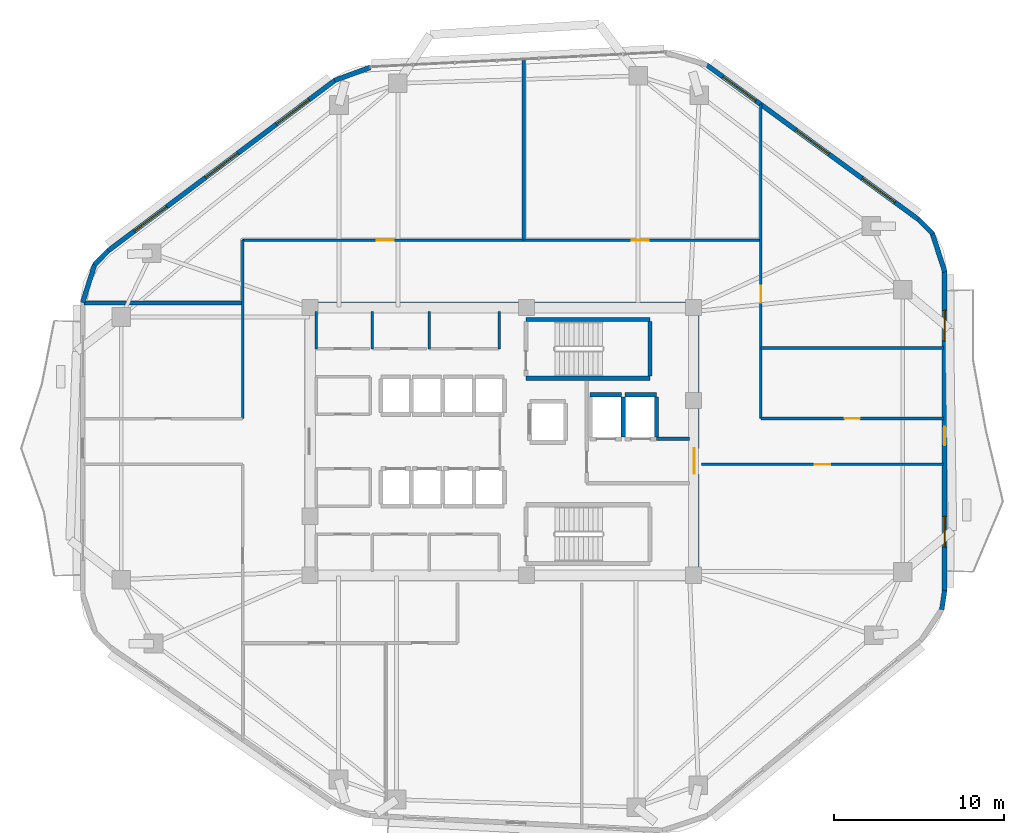
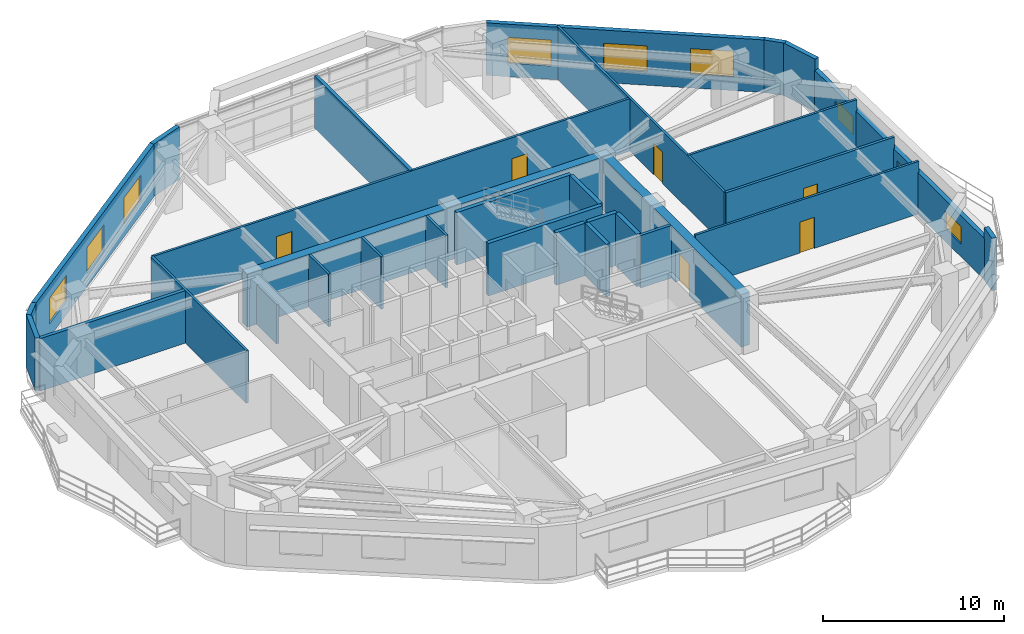
# One storey, part 10 of 14: 31 walls, 8 windows, 7 doors, 15 openings.
"""IFC4 building model written with IfcOpenShell, lengths in metres."""

from ifc_helpers import new_model, si_unit, direction, frame, frame_2d, origin, place, context, subcontext, project, spatial, rectangle, extrude, material, layer, layer_set, type_object, element, fill, save


model = new_model("IFC4")

# Units and contexts
model_context = context("Model", 3, precision=1e-05, world=origin(), true_north=direction((0.0, 1.0)))
body_context = subcontext(model_context, "Body", "Model", "MODEL_VIEW")
ifc_project = project(units=[si_unit("LENGTHUNIT", "METRE"), si_unit("AREAUNIT", "SQUARE_METRE"), si_unit("VOLUMEUNIT", "CUBIC_METRE"), si_unit("PLANEANGLEUNIT", "RADIAN"), si_unit("MASSUNIT", "GRAM", prefix="KILO")], contexts=[model_context])

# Site, building, storey
site_placement = place(None, origin())
site = spatial("IfcSite", under=ifc_project, at=site_placement, CompositionType="ELEMENT")
building_placement = place(site_placement, origin())
building = spatial("IfcBuilding", under=site, at=building_placement, Name="Zulverin Broadcast Headquarters", CompositionType="ELEMENT")
storey_placement = place(building_placement, frame((0.0, 0.0, 147.800048828125)))
storey = spatial("IfcBuildingStorey", under=building, at=storey_placement, Name="L37", CompositionType="ELEMENT", Elevation=147.800048828125)

# Walls
ifc_material_1 = material(Name="Acoustic drywall steel stud", Category="steel")
ifc_layer_1 = layer(ifc_material_1, 0.199951171875, Name="Acoustic drywall steel stud", Category="steel")
ifc_layer_set_1 = layer_set([ifc_layer_1], Name="Acoustic drywall steel stud")
wall_type_1 = type_object("IfcWallType", Name="WL-ACOU-200", PredefinedType="PARTITIONING", material=ifc_layer_set_1)
wall_1_placement = place(storey_placement, frame((38.300048828125, 37.050048828125, 0.0), z_axis=(0.0, 0.0, 1.0), x_axis=(0.0, 1.0, 0.0)))
element("IfcWall", 1, at=wall_1_placement, inside=storey, type_object=wall_type_1, Name="L37 Room Partition Wall RP-03", PredefinedType="PARTITIONING", context=body_context, shape_type="SweptSolid", body=[
    extrude(rectangle(XDim=10.55810546875, YDim=0.199951171875, at=frame_2d((5.279052734375, 0.0))), origin(), (0.0, 0.0, 1.0), 3.5400390625),
])
ifc_material_2 = material(Name="Double-stud acoustic drywall", Category="gypsum")
ifc_layer_2 = layer(ifc_material_2, 0.219970703125, Name="Double-stud acoustic drywall", Category="gypsum")
ifc_layer_set_2 = layer_set([ifc_layer_2], Name="Double-stud acoustic drywall")
wall_type_2 = type_object("IfcWallType", Name="WL-ACOU-220", PredefinedType="PARTITIONING", material=ifc_layer_set_2)
wall_2_placement = place(storey_placement, frame((12.405029296875, 33.35009765625, 0.0), z_axis=(0.0, 0.0, 1.0), x_axis=(1.0, 0.0, 0.0)))
element("IfcWall", 2, at=wall_2_placement, inside=storey, type_object=wall_type_2, Name="L37 Room Partition Wall RP-14", PredefinedType="PARTITIONING", context=body_context, shape_type="SweptSolid", body=[
    extrude(rectangle(XDim=9.344970703125, YDim=0.219970703125, at=frame_2d((4.67236328125, 0.0))), origin(), (0.0, 0.0, 1.0), 3.5400390625),
])
ifc_material_3 = material(Name="Concrete C60/75", Category="concrete")
ifc_layer_3 = layer(ifc_material_3, 0.550048828125, Name="Concrete C60/75", Category="concrete")
ifc_layer_set_3 = layer_set([ifc_layer_3], Name="Concrete C60/75")
wall_type_3 = type_object("IfcWallType", Name="WL-CORE-550", PredefinedType="SHEAR", material=ifc_layer_set_3)
wall_3_placement = place(storey_placement, frame((25.39990234375, 33.125, 0.0), z_axis=(0.0, 0.0, 1.0), x_axis=(1.0, 0.0, 0.0)))
element("IfcWall", 3, at=wall_3_placement, inside=storey, type_object=wall_type_3, Name="L37 Core North Shear Wall", PredefinedType="SHEAR", context=body_context, shape_type="SweptSolid", body=[
    extrude(rectangle(XDim=23.2001953125, YDim=0.550048828125, at=frame_2d((11.60009765625, 0.0))), origin(), (0.0, 0.0, 1.0), 3.5400390625),
])

# Wall, opening, door
wall_4_placement = place(storey_placement, frame((48.324951171875, 17.550048828125, 0.0), z_axis=(0.0, 0.0, 1.0), x_axis=(0.0, 1.0, 0.0)))
wall_4 = element("IfcWall", 4, at=wall_4_placement, inside=storey, type_object=wall_type_3, Name="L37 Core East Shear Wall", PredefinedType="SHEAR", context=body_context, shape_type="SweptSolid", body=[
    extrude(rectangle(XDim=15.300048828125, YDim=0.550048828125, at=frame_2d((7.64990234375, 0.0))), origin(), (0.0, 0.0, 1.0), 3.5400390625),
])
opening_1_placement = place(wall_4_placement, frame((5.75, 0.0, 0.0)))
opening_1 = element("IfcOpeningElement", 5, at=opening_1_placement, cuts=wall_4, Name="Opening D-L37-CE1", PredefinedType="OPENING", context=body_context, shape_type="SweptSolid", body=[
    extrude(rectangle(XDim=1.5, YDim=2.14990234375, at=frame_2d((0.75, 1.074951171875))), frame((0.0, 0.284912109375, 0.0), z_axis=(0.0, -1.0, 0.0), x_axis=(1.0, 0.0, 0.0)), (0.0, 0.0, 1.0), 0.570068359375),
])
ifc_material_4 = material(Name="Fire-rated glazed steel frame", Category="steel")
door_type_1 = type_object("IfcDoorType", Name="DR-COR-1500", OperationType="DOUBLE_DOOR_SINGLE_SWING", PredefinedType="DOOR", material=ifc_material_4)
door_1_placement = place(opening_1_placement, origin())
door_1 = element("IfcDoor", 6, at=door_1_placement, inside=storey, type_object=door_type_1, Name="L37 Firefighting Lobby East Corridor Door", OperationType="DOUBLE_DOOR_SINGLE_SWING", OverallHeight=2.14990234375, OverallWidth=1.5, PredefinedType="DOOR", context=body_context, shape_type="SweptSolid", body=[
    extrude(rectangle(XDim=1.5, YDim=2.14990234375, at=frame_2d((0.75, 1.074951171875))), frame((0.0, 0.02490234375, 0.0), z_axis=(0.0, -1.0, 0.0), x_axis=(1.0, 0.0, 0.0)), (0.0, 0.0, 1.0), 0.050048828125),
])
fill(opening_1, door_1)

# Wall, openings, door, windows
ifc_material_5 = material(Name="Insulated pale-metal clad concrete spandrel C40/50", Category="concrete")
ifc_layer_4 = layer(ifc_material_5, 0.280029296875, Name="Insulated pale-metal clad concrete spandrel C40/50", Category="concrete")
ifc_layer_set_4 = layer_set([ifc_layer_4], Name="Insulated pale-metal clad concrete spandrel C40/50")
wall_type_4 = type_object("IfcWallType", Name="WL-EXT-280", PredefinedType="STANDARD", material=ifc_layer_set_4)
wall_5_placement = place(storey_placement, frame((63.06005859375, 16.418212890625, 0.0), z_axis=(0.0, 0.0, 1.0), x_axis=(0.0, 1.0, 0.0)))
wall_5 = element("IfcWall", 7, at=wall_5_placement, inside=storey, type_object=wall_type_4, Name="L37 Pale-Metal Clad Spandrel Wall 3", PredefinedType="STANDARD", context=body_context, shape_type="SweptSolid", body=[
    extrude(rectangle(XDim=18.811767578125, YDim=0.280029296875, at=frame_2d((9.40576171875, 0.0))), origin(), (0.0, 0.0, 1.0), 2.7900390625),
])
opening_2_placement = place(wall_5_placement, frame((8.555908203125, 0.0, 0.0)))
opening_2 = element("IfcOpeningElement", 8, at=opening_2_placement, cuts=wall_5, Name="Opening D-L37-TR3", PredefinedType="OPENING", context=body_context, shape_type="SweptSolid", body=[
    extrude(rectangle(XDim=1.10009765625, YDim=2.199951171875, at=frame_2d((0.550048828125, 1.10009765625))), frame((0.0, 0.14990234375, 0.0), z_axis=(0.0, -1.0, 0.0), x_axis=(1.0, 0.0, 0.0)), (0.0, 0.0, 1.0), 0.300048828125),
])
opening_3_placement = place(wall_5_placement, frame((2.568603515625, 0.0, 0.85009765625)))
opening_3 = element("IfcOpeningElement", 9, at=opening_3_placement, cuts=wall_5, Name="Opening W-L37-E31", PredefinedType="OPENING", context=body_context, shape_type="SweptSolid", body=[
    extrude(rectangle(XDim=1.800048828125, YDim=1.199951171875, at=frame_2d((0.89990234375, 0.60009765625))), frame((0.0, 0.14990234375, 0.0), z_axis=(0.0, -1.0, 0.0), x_axis=(1.0, 0.0, 0.0)), (0.0, 0.0, 1.0), 0.300048828125),
])
opening_4_placement = place(wall_5_placement, frame((14.693115234375, 0.0, 0.85009765625)))
opening_4 = element("IfcOpeningElement", 10, at=opening_4_placement, cuts=wall_5, Name="Opening W-L37-E32", PredefinedType="OPENING", context=body_context, shape_type="SweptSolid", body=[
    extrude(rectangle(XDim=1.800048828125, YDim=1.199951171875, at=frame_2d((0.89990234375, 0.60009765625))), frame((0.0, 0.14990234375, 0.0), z_axis=(0.0, -1.0, 0.0), x_axis=(1.0, 0.0, 0.0)), (0.0, 0.0, 1.0), 0.300048828125),
])
ifc_material_6 = material(Name="Thermally broken aluminium glazed", Category="aluminium")
door_type_2 = type_object("IfcDoorType", Name="DR-TERR-1100", OperationType="SINGLE_SWING_RIGHT", PredefinedType="DOOR", material=ifc_material_6)
door_2_placement = place(opening_2_placement, origin())
door_2 = element("IfcDoor", 11, at=door_2_placement, inside=storey, type_object=door_type_2, Name="L37 Planted Terrace Glazed Access Door 3", OperationType="SINGLE_SWING_RIGHT", OverallHeight=2.199951171875, OverallWidth=1.10009765625, PredefinedType="DOOR", context=body_context, shape_type="SweptSolid", body=[
    extrude(rectangle(XDim=1.10009765625, YDim=2.199951171875, at=frame_2d((0.550048828125, 1.10009765625))), frame((0.0, 0.02490234375, 0.0), z_axis=(0.0, -1.0, 0.0), x_axis=(1.0, 0.0, 0.0)), (0.0, 0.0, 1.0), 0.050048828125),
])
fill(opening_2, door_2)
ifc_material_7 = material(Name="Pale anodized aluminium frame with solar-control low-E double glazing", Category="aluminium")
window_type_1 = type_object("IfcWindowType", Name="WIN-LOW-1800", PartitioningType="SINGLE_PANEL", PredefinedType="WINDOW", material=ifc_material_7)
window_1_placement = place(opening_3_placement, origin())
window_1 = element("IfcWindow", 12, at=window_1_placement, inside=storey, type_object=window_type_1, Name="L37 Ribbon Glazing Window 3 1", OverallHeight=1.199951171875, OverallWidth=1.800048828125, PartitioningType="SINGLE_PANEL", PredefinedType="WINDOW", context=body_context, shape_type="SweptSolid", body=[
    extrude(rectangle(XDim=1.800048828125, YDim=1.199951171875, at=frame_2d((0.89990234375, 0.60009765625))), frame((0.0, 0.030029296875, 0.0), z_axis=(0.0, -1.0, 0.0), x_axis=(1.0, 0.0, 0.0)), (0.0, 0.0, 1.0), 0.06005859375),
])
fill(opening_3, window_1)
window_2_placement = place(opening_4_placement, origin())
window_2 = element("IfcWindow", 13, at=window_2_placement, inside=storey, type_object=window_type_1, Name="L37 Ribbon Glazing Window 3 2", OverallHeight=1.199951171875, OverallWidth=1.800048828125, PartitioningType="SINGLE_PANEL", PredefinedType="WINDOW", context=body_context, shape_type="SweptSolid", body=[
    extrude(rectangle(XDim=1.800048828125, YDim=1.199951171875, at=frame_2d((0.89990234375, 0.60009765625))), frame((0.0, 0.030029296875, 0.0), z_axis=(0.0, -1.0, 0.0), x_axis=(1.0, 0.0, 0.0)), (0.0, 0.0, 1.0), 0.06005859375),
])
fill(opening_4, window_2)

# Wall, openings, windows
wall_6_placement = place(storey_placement, frame((61.516357421875, 38.26708984375, 0.0), z_axis=(0.0, 0.0, 1.0), x_axis=(-0.807812505785, 0.589439526582, 0.0)))
wall_6 = element("IfcWall", 14, at=wall_6_placement, inside=storey, type_object=wall_type_4, Name="L37 Pale-Metal Clad Spandrel Wall 4", PredefinedType="STANDARD", context=body_context, shape_type="SweptSolid", body=[
    extrude(rectangle(XDim=15.448486328125, YDim=0.280029296875, at=frame_2d((7.72412109375, 0.0))), origin(), (0.0, 0.0, 1.0), 3.5400390625),
])
opening_5_placement = place(wall_6_placement, frame((1.7080078125, 0.0, 0.89990234375)))
opening_5 = element("IfcOpeningElement", 15, at=opening_5_placement, cuts=wall_6, Name="Opening W-L37-E41", PredefinedType="OPENING", context=body_context, shape_type="SweptSolid", body=[
    extrude(rectangle(XDim=2.39990234375, YDim=1.75, at=frame_2d((1.199951171875, 0.875))), frame((0.0, 0.14990234375, 0.0), z_axis=(0.0, -1.0, 0.0), x_axis=(1.0, 0.0, 0.0)), (0.0, 0.0, 1.0), 0.300048828125),
])
opening_6_placement = place(wall_6_placement, frame((6.524169921875, 0.0, 0.89990234375)))
opening_6 = element("IfcOpeningElement", 16, at=opening_6_placement, cuts=wall_6, Name="Opening W-L37-E42", PredefinedType="OPENING", context=body_context, shape_type="SweptSolid", body=[
    extrude(rectangle(XDim=2.39990234375, YDim=1.75, at=frame_2d((1.199951171875, 0.875))), frame((0.0, 0.14990234375, 0.0), z_axis=(0.0, -1.0, 0.0), x_axis=(1.0, 0.0, 0.0)), (0.0, 0.0, 1.0), 0.300048828125),
])
opening_7_placement = place(wall_6_placement, frame((11.84033203125, 0.0, 0.89990234375)))
opening_7 = element("IfcOpeningElement", 17, at=opening_7_placement, cuts=wall_6, Name="Opening W-L37-E43", PredefinedType="OPENING", context=body_context, shape_type="SweptSolid", body=[
    extrude(rectangle(XDim=2.39990234375, YDim=1.75, at=frame_2d((1.199951171875, 0.875))), frame((0.0, 0.14990234375, 0.0), z_axis=(0.0, -1.0, 0.0), x_axis=(1.0, 0.0, 0.0)), (0.0, 0.0, 1.0), 0.300048828125),
])
window_type_2 = type_object("IfcWindowType", Name="WIN-RIB-2400", PartitioningType="SINGLE_PANEL", PredefinedType="WINDOW", material=ifc_material_7)
window_3_placement = place(opening_5_placement, origin())
window_3 = element("IfcWindow", 18, at=window_3_placement, inside=storey, type_object=window_type_2, Name="L37 Ribbon Glazing Window 4 1", OverallHeight=1.75, OverallWidth=2.39990234375, PartitioningType="SINGLE_PANEL", PredefinedType="WINDOW", context=body_context, shape_type="SweptSolid", body=[
    extrude(rectangle(XDim=2.39990234375, YDim=1.75, at=frame_2d((1.199951171875, 0.875))), frame((0.0, 0.030029296875, 0.0), z_axis=(0.0, -1.0, 0.0), x_axis=(1.0, 0.0, 0.0)), (0.0, 0.0, 1.0), 0.06005859375),
])
fill(opening_5, window_3)
window_4_placement = place(opening_6_placement, origin())
window_4 = element("IfcWindow", 19, at=window_4_placement, inside=storey, type_object=window_type_2, Name="L37 Ribbon Glazing Window 4 2", OverallHeight=1.75, OverallWidth=2.39990234375, PartitioningType="SINGLE_PANEL", PredefinedType="WINDOW", context=body_context, shape_type="SweptSolid", body=[
    extrude(rectangle(XDim=2.39990234375, YDim=1.75, at=frame_2d((1.199951171875, 0.875))), frame((0.0, 0.030029296875, 0.0), z_axis=(0.0, -1.0, 0.0), x_axis=(1.0, 0.0, 0.0)), (0.0, 0.0, 1.0), 0.06005859375),
])
fill(opening_6, window_4)
window_5_placement = place(opening_7_placement, origin())
window_5 = element("IfcWindow", 20, at=window_5_placement, inside=storey, type_object=window_type_2, Name="L37 Ribbon Glazing Window 4 3", OverallHeight=1.75, OverallWidth=2.39990234375, PartitioningType="SINGLE_PANEL", PredefinedType="WINDOW", context=body_context, shape_type="SweptSolid", body=[
    extrude(rectangle(XDim=2.39990234375, YDim=1.75, at=frame_2d((1.199951171875, 0.875))), frame((0.0, 0.030029296875, 0.0), z_axis=(0.0, -1.0, 0.0), x_axis=(1.0, 0.0, 0.0)), (0.0, 0.0, 1.0), 0.06005859375),
])
fill(opening_7, window_5)

wall_7_placement = place(storey_placement, frame((27.201171875, 46.469970703125, 0.0), z_axis=(0.0, 0.0, 1.0), x_axis=(-0.799280853427, -0.600957666849, 0.0)))
wall_7 = element("IfcWall", 21, at=wall_7_placement, inside=storey, type_object=wall_type_4, Name="L37 Pale-Metal Clad Spandrel Wall 6", PredefinedType="STANDARD", context=body_context, shape_type="SweptSolid", body=[
    extrude(rectangle(XDim=16.716064453125, YDim=0.280029296875, at=frame_2d((8.35791015625, 0.0))), origin(), (0.0, 0.0, 1.0), 3.5400390625),
])
opening_8_placement = place(wall_7_placement, frame((1.91943359375, 0.0, 0.89990234375)))
opening_8 = element("IfcOpeningElement", 22, at=opening_8_placement, cuts=wall_7, Name="Opening W-L37-E61", PredefinedType="OPENING", context=body_context, shape_type="SweptSolid", body=[
    extrude(rectangle(XDim=2.39990234375, YDim=1.75, at=frame_2d((1.199951171875, 0.875))), frame((0.0, 0.14990234375, 0.0), z_axis=(0.0, -1.0, 0.0), x_axis=(1.0, 0.0, 0.0)), (0.0, 0.0, 1.0), 0.300048828125),
])
opening_9_placement = place(wall_7_placement, frame((7.158203125, 0.0, 0.89990234375)))
opening_9 = element("IfcOpeningElement", 23, at=opening_9_placement, cuts=wall_7, Name="Opening W-L37-E62", PredefinedType="OPENING", context=body_context, shape_type="SweptSolid", body=[
    extrude(rectangle(XDim=2.39990234375, YDim=1.75, at=frame_2d((1.199951171875, 0.875))), frame((0.0, 0.14990234375, 0.0), z_axis=(0.0, -1.0, 0.0), x_axis=(1.0, 0.0, 0.0)), (0.0, 0.0, 1.0), 0.300048828125),
])
opening_10_placement = place(wall_7_placement, frame((12.396728515625, 0.0, 0.89990234375)))
opening_10 = element("IfcOpeningElement", 24, at=opening_10_placement, cuts=wall_7, Name="Opening W-L37-E63", PredefinedType="OPENING", context=body_context, shape_type="SweptSolid", body=[
    extrude(rectangle(XDim=2.39990234375, YDim=1.75, at=frame_2d((1.199951171875, 0.875))), frame((0.0, 0.14990234375, 0.0), z_axis=(0.0, -1.0, 0.0), x_axis=(1.0, 0.0, 0.0)), (0.0, 0.0, 1.0), 0.300048828125),
])
window_6_placement = place(opening_8_placement, origin())
window_6 = element("IfcWindow", 25, at=window_6_placement, inside=storey, type_object=window_type_2, Name="L37 Ribbon Glazing Window 6 1", OverallHeight=1.75, OverallWidth=2.39990234375, PartitioningType="SINGLE_PANEL", PredefinedType="WINDOW", context=body_context, shape_type="SweptSolid", body=[
    extrude(rectangle(XDim=2.39990234375, YDim=1.75, at=frame_2d((1.199951171875, 0.875))), frame((0.0, 0.030029296875, 0.0), z_axis=(0.0, -1.0, 0.0), x_axis=(1.0, 0.0, 0.0)), (0.0, 0.0, 1.0), 0.06005859375),
])
fill(opening_8, window_6)
window_7_placement = place(opening_9_placement, origin())
window_7 = element("IfcWindow", 26, at=window_7_placement, inside=storey, type_object=window_type_2, Name="L37 Ribbon Glazing Window 6 2", OverallHeight=1.75, OverallWidth=2.39990234375, PartitioningType="SINGLE_PANEL", PredefinedType="WINDOW", context=body_context, shape_type="SweptSolid", body=[
    extrude(rectangle(XDim=2.39990234375, YDim=1.75, at=frame_2d((1.199951171875, 0.875))), frame((0.0, 0.030029296875, 0.0), z_axis=(0.0, -1.0, 0.0), x_axis=(1.0, 0.0, 0.0)), (0.0, 0.0, 1.0), 0.06005859375),
])
fill(opening_9, window_7)
window_8_placement = place(opening_10_placement, origin())
window_8 = element("IfcWindow", 27, at=window_8_placement, inside=storey, type_object=window_type_2, Name="L37 Ribbon Glazing Window 6 3", OverallHeight=1.75, OverallWidth=2.39990234375, PartitioningType="SINGLE_PANEL", PredefinedType="WINDOW", context=body_context, shape_type="SweptSolid", body=[
    extrude(rectangle(XDim=2.39990234375, YDim=1.75, at=frame_2d((1.199951171875, 0.875))), frame((0.0, 0.030029296875, 0.0), z_axis=(0.0, -1.0, 0.0), x_axis=(1.0, 0.0, 0.0)), (0.0, 0.0, 1.0), 0.06005859375),
])
fill(opening_10, window_8)

# Walls
wall_8_placement = place(storey_placement, frame((62.8935546875, 15.306884765625, 0.0), z_axis=(0.0, 0.0, 1.0), x_axis=(0.146796104284, 0.989166772474, 0.0)))
element("IfcWall", 28, at=wall_8_placement, inside=storey, type_object=wall_type_4, Name="L37 Wind-Shaped Corner Spandrel Wall 2-2", PredefinedType="STANDARD", context=body_context, shape_type="SweptSolid", body=[
    extrude(rectangle(XDim=1.144287109375, YDim=0.280029296875, at=frame_2d((0.572265625, 0.0))), origin(), (0.0, 0.0, 1.0), 3.5400390625),
])
wall_9_placement = place(storey_placement, frame((63.06689453125, 35.186767578125, 0.0), z_axis=(0.0, 0.0, 1.0), x_axis=(-0.308390504294, 0.951259847182, 0.0)))
element("IfcWall", 29, at=wall_9_placement, inside=storey, type_object=wall_type_4, Name="L37 Wind-Shaped Corner Spandrel Wall 3-1", PredefinedType="STANDARD", context=body_context, shape_type="SweptSolid", body=[
    extrude(rectangle(XDim=2.405029296875, YDim=0.280029296875, at=frame_2d((1.20263671875, 0.0))), origin(), (0.0, 0.0, 1.0), 3.5400390625),
])
wall_10_placement = place(storey_placement, frame((62.359130859375, 37.419189453125, 0.0), z_axis=(0.0, 0.0, 1.0), x_axis=(-0.706003104649, 0.708208737751, 0.0)))
element("IfcWall", 30, at=wall_10_placement, inside=storey, type_object=wall_type_4, Name="L37 Wind-Shaped Corner Spandrel Wall 3-2", PredefinedType="STANDARD", context=body_context, shape_type="SweptSolid", body=[
    extrude(rectangle(XDim=1.217529296875, YDim=0.280029296875, at=frame_2d((0.60888671875, 0.0))), origin(), (0.0, 0.0, 1.0), 3.5400390625),
])
wall_11_placement = place(storey_placement, frame((29.251953125, 47.2060546875, 0.0), z_axis=(0.0, 0.0, 1.0), x_axis=(-0.940242174664, -0.340506465406, 0.0)))
element("IfcWall", 31, at=wall_11_placement, inside=storey, type_object=wall_type_4, Name="L37 Wind-Shaped Corner Spandrel Wall 5-1", PredefinedType="STANDARD", context=body_context, shape_type="SweptSolid", body=[
    extrude(rectangle(XDim=2.2197265625, YDim=0.280029296875, at=frame_2d((1.10986328125, 0.0))), origin(), (0.0, 0.0, 1.0), 3.5400390625),
])
wall_12_placement = place(storey_placement, frame((13.8564453125, 36.4384765625, 0.0), z_axis=(0.0, 0.0, 1.0), x_axis=(-0.697369094044, -0.716712178404, 0.0)))
element("IfcWall", 32, at=wall_12_placement, inside=storey, type_object=wall_type_4, Name="L37 Wind-Shaped Corner Spandrel Wall 6-1", PredefinedType="STANDARD", context=body_context, shape_type="SweptSolid", body=[
    extrude(rectangle(XDim=1.198974609375, YDim=0.280029296875, at=frame_2d((0.599609375, 0.0))), origin(), (0.0, 0.0, 1.0), 3.5400390625),
])
wall_13_placement = place(storey_placement, frame((13.053466796875, 35.63427734375, 0.0), z_axis=(0.0, 0.0, 1.0), x_axis=(-0.303807416298, -0.952733464198, 0.0)))
element("IfcWall", 33, at=wall_13_placement, inside=storey, type_object=wall_type_4, Name="L37 Wind-Shaped Corner Spandrel Wall 6-2", PredefinedType="STANDARD", context=body_context, shape_type="SweptSolid", body=[
    extrude(rectangle(XDim=2.369873046875, YDim=0.280029296875, at=frame_2d((1.18505859375, 0.0))), origin(), (0.0, 0.0, 1.0), 3.5400390625),
])
ifc_material_8 = material(Name="Concrete C40/50", Category="concrete")
ifc_layer_5 = layer(ifc_material_8, 0.199951171875, Name="Concrete C40/50", Category="concrete")
ifc_layer_set_5 = layer_set([ifc_layer_5], Name="Concrete C40/50")
wall_type_5 = type_object("IfcWallType", Name="WL-FFL-200", PredefinedType="SOLIDWALL", material=ifc_layer_set_5)
wall_14_placement = place(storey_placement, frame((46.10009765625, 25.35009765625, 0.0), z_axis=(0.0, 0.0, 1.0), x_axis=(1.0, 0.0, 0.0)))
element("IfcWall", 34, at=wall_14_placement, inside=storey, type_object=wall_type_5, Name="L37 Firefighting Lift Lobby North Wall", PredefinedType="SOLIDWALL", context=body_context, shape_type="SweptSolid", body=[
    extrude(rectangle(XDim=1.949951171875, YDim=0.199951171875, at=frame_2d((0.97509765625, 0.0))), origin(), (0.0, 0.0, 1.0), 3.5400390625),
])
ifc_material_9 = material(Name="Fire-rated gypsum stud partition", Category="gypsum")
ifc_layer_6 = layer(ifc_material_9, 0.14990234375, Name="Fire-rated gypsum stud partition", Category="gypsum")
ifc_layer_set_6 = layer_set([ifc_layer_6], Name="Fire-rated gypsum stud partition")
wall_type_6 = type_object("IfcWallType", Name="WL-PART-150", PredefinedType="PARTITIONING", material=ifc_layer_set_6)
wall_15_placement = place(storey_placement, frame((26.070068359375, 30.64990234375, 0.0), z_axis=(0.0, 0.0, 1.0), x_axis=(0.0, 1.0, 0.0)))
element("IfcWall", 35, at=wall_15_placement, inside=storey, type_object=wall_type_6, Name="L37 Core Male WC West Wall", PredefinedType="PARTITIONING", context=body_context, shape_type="SweptSolid", body=[
    extrude(rectangle(XDim=2.2001953125, YDim=0.14990234375, at=frame_2d((1.10009765625, 0.0))), origin(), (0.0, 0.0, 1.0), 2.639892578125),
])
for number, where, z_axis, x_axis, name in (
    (36, (29.3798828125, 30.64990234375, 0.0), (0.0, 0.0, 1.0), (0.0, 1.0, 0.0), "L37 Core Accessible WC West Wall"),
    (37, (32.72998046875, 30.64990234375, 0.0), (0.0, 0.0, 1.0), (0.0, 1.0, 0.0), "L37 Core Electrical Distribution Riser West Wall"),
    (38, (36.85009765625, 30.64990234375, 0.0), (0.0, 0.0, 1.0), (0.0, 1.0, 0.0), "L37 Core Electrical Distribution Riser East Wall"),
):
    element("IfcWall", number, at=place(storey_placement, frame(where, z_axis=z_axis, x_axis=x_axis)), inside=storey, type_object=wall_type_6, Name=name, PredefinedType="PARTITIONING", context=body_context, shape_type="SweptSolid", body=[
        extrude(rectangle(XDim=2.2001953125, YDim=0.14990234375, at=frame_2d((1.10009765625, 0.0))), origin(), (0.0, 0.0, 1.0), 3.5400390625),
    ])

# Wall, opening, door
wall_16_placement = place(storey_placement, frame((52.25, 26.550048828125, 0.0), z_axis=(0.0, 0.0, 1.0), x_axis=(0.0, 1.0, 0.0)))
wall_16 = element("IfcWall", 39, at=wall_16_placement, inside=storey, type_object=wall_type_6, Name="L37 Gallery Partition Wall CG-01", PredefinedType="PARTITIONING", context=body_context, shape_type="SweptSolid", body=[
    extrude(rectangle(XDim=18.51171875, YDim=0.14990234375, at=frame_2d((9.255859375, 0.0))), origin(), (0.0, 0.0, 1.0), 3.5400390625),
])
opening_11_placement = place(wall_16_placement, frame((6.824951171875, 0.0, 0.0)))
opening_11 = element("IfcOpeningElement", 40, at=opening_11_placement, cuts=wall_16, Name="Opening D-L37-09", PredefinedType="OPENING", context=body_context, shape_type="SweptSolid", body=[
    extrude(rectangle(XDim=1.0, YDim=2.1201171875, at=frame_2d((0.5, 1.06005859375))), frame((0.0, 0.0849609375, 0.0), z_axis=(0.0, -1.0, 0.0), x_axis=(1.0, 0.0, 0.0)), (0.0, 0.0, 1.0), 0.169921875),
])
ifc_material_10 = material(Name="Hardwood veneer acoustic leaf", Category="wood")
door_type_3 = type_object("IfcDoorType", Name="DR-OFF-1000", OperationType="SINGLE_SWING_LEFT", PredefinedType="DOOR", material=ifc_material_10)
door_3_placement = place(opening_11_placement, origin())
door_3 = element("IfcDoor", 41, at=door_3_placement, inside=storey, type_object=door_type_3, Name="L37 Audio Mastering Office Door", OperationType="SINGLE_SWING_RIGHT", OverallHeight=2.1201171875, OverallWidth=1.0, PredefinedType="DOOR", context=body_context, shape_type="SweptSolid", body=[
    extrude(rectangle(XDim=1.0, YDim=2.1201171875, at=frame_2d((0.5, 1.06005859375))), frame((0.0, 0.02490234375, 0.0), z_axis=(0.0, -1.0, 0.0), x_axis=(1.0, 0.0, 0.0)), (0.0, 0.0, 1.0), 0.050048828125),
])
fill(opening_11, door_3)

# Wall
wall_17_placement = place(storey_placement, frame((21.75, 26.550048828125, 0.0), z_axis=(0.0, 0.0, 1.0), x_axis=(0.0, 1.0, 0.0)))
element("IfcWall", 42, at=wall_17_placement, inside=storey, type_object=wall_type_6, Name="L37 Gallery Partition Wall CG-07", PredefinedType="PARTITIONING", context=body_context, shape_type="SweptSolid", body=[
    extrude(rectangle(XDim=10.5, YDim=0.14990234375, at=frame_2d((5.25, 0.0))), origin(), (0.0, 0.0, 1.0), 3.5400390625),
])

# Wall, opening, door
wall_18_placement = place(storey_placement, frame((48.739990234375, 23.85009765625, 0.0), z_axis=(0.0, 0.0, 1.0), x_axis=(1.0, 0.0, 0.0)))
wall_18 = element("IfcWall", 43, at=wall_18_placement, inside=storey, type_object=wall_type_6, Name="L37 Gallery Partition Wall CG-10", PredefinedType="PARTITIONING", context=body_context, shape_type="SweptSolid", body=[
    extrude(rectangle(XDim=14.255126953125, YDim=0.14990234375, at=frame_2d((7.12744140625, 0.0))), origin(), (0.0, 0.0, 1.0), 3.5400390625),
])
opening_12_placement = place(wall_18_placement, frame((6.677490234375, 0.0, 0.0)))
opening_12 = element("IfcOpeningElement", 44, at=opening_12_placement, cuts=wall_18, Name="Opening D-L37-07", PredefinedType="OPENING", context=body_context, shape_type="SweptSolid", body=[
    extrude(rectangle(XDim=0.89990234375, YDim=2.10009765625, at=frame_2d((0.449951171875, 1.050048828125))), frame((0.0, 0.0849609375, 0.0), z_axis=(0.0, -1.0, 0.0), x_axis=(1.0, 0.0, 0.0)), (0.0, 0.0, 1.0), 0.169921875),
])
ifc_material_11 = material(Name="Fire-rated hardwood veneer timber leaf", Category="wood")
door_type_4 = type_object("IfcDoorType", Name="DR-ROOM-900", OperationType="SINGLE_SWING_RIGHT", PredefinedType="DOOR", material=ifc_material_11)
door_4_placement = place(opening_12_placement, origin())
door_4 = element("IfcDoor", 45, at=door_4_placement, inside=storey, type_object=door_type_4, Name="L37 Club Bar Door", OperationType="SINGLE_SWING_RIGHT", OverallHeight=2.10009765625, OverallWidth=0.89990234375, PredefinedType="DOOR", context=body_context, shape_type="SweptSolid", body=[
    extrude(rectangle(XDim=0.89990234375, YDim=2.10009765625, at=frame_2d((0.449951171875, 1.050048828125))), frame((0.0, 0.02490234375, 0.0), z_axis=(0.0, -1.0, 0.0), x_axis=(1.0, 0.0, 0.0)), (0.0, 0.0, 1.0), 0.050048828125),
])
fill(opening_12, door_4)

# Wall
wall_19_placement = place(storey_placement, frame((52.25, 30.699951171875, 0.0), z_axis=(0.0, 0.0, 1.0), x_axis=(1.0, 0.0, 0.0)))
element("IfcWall", 46, at=wall_19_placement, inside=storey, type_object=wall_type_6, Name="L37 Room Partition Wall RP-13", PredefinedType="PARTITIONING", context=body_context, shape_type="SweptSolid", body=[
    extrude(rectangle(XDim=10.7451171875, YDim=0.14990234375, at=frame_2d((5.37255859375, 0.0))), origin(), (0.0, 0.0, 1.0), 3.5400390625),
])

# Wall, openings, doors
wall_20_placement = place(storey_placement, frame((21.75, 37.050048828125, 0.0), z_axis=(0.0, 0.0, 1.0), x_axis=(1.0, 0.0, 0.0)))
wall_20 = element("IfcWall", 47, at=wall_20_placement, inside=storey, type_object=wall_type_6, Name="L37 Gallery Partition Wall CG-15", PredefinedType="PARTITIONING", context=body_context, shape_type="SweptSolid", body=[
    extrude(rectangle(XDim=30.5, YDim=0.14990234375, at=frame_2d((15.25, 0.0))), origin(), (0.0, 0.0, 1.0), 3.5400390625),
])
opening_13_placement = place(wall_20_placement, frame((7.89501953125, 0.0, 0.0)))
opening_13 = element("IfcOpeningElement", 48, at=opening_13_placement, cuts=wall_20, Name="Opening D-L37-01", PredefinedType="OPENING", context=body_context, shape_type="SweptSolid", body=[
    extrude(rectangle(XDim=1.0, YDim=2.1201171875, at=frame_2d((0.5, 1.06005859375))), frame((0.0, 0.0849609375, 0.0), z_axis=(0.0, -1.0, 0.0), x_axis=(1.0, 0.0, 0.0)), (0.0, 0.0, 1.0), 0.169921875),
])
opening_14_placement = place(wall_20_placement, frame((22.905029296875, 0.0, 0.0)))
opening_14 = element("IfcOpeningElement", 49, at=opening_14_placement, cuts=wall_20, Name="Opening D-L37-02", PredefinedType="OPENING", context=body_context, shape_type="SweptSolid", body=[
    extrude(rectangle(XDim=1.0, YDim=2.1201171875, at=frame_2d((0.5, 1.06005859375))), frame((0.0, 0.0849609375, 0.0), z_axis=(0.0, -1.0, 0.0), x_axis=(1.0, 0.0, 0.0)), (0.0, 0.0, 1.0), 0.169921875),
])
door_5_placement = place(opening_13_placement, origin())
door_5 = element("IfcDoor", 50, at=door_5_placement, inside=storey, type_object=door_type_3, Name="L37 Audio Mastering Office Door", OperationType="SINGLE_SWING_RIGHT", OverallHeight=2.1201171875, OverallWidth=1.0, PredefinedType="DOOR", context=body_context, shape_type="SweptSolid", body=[
    extrude(rectangle(XDim=1.0, YDim=2.1201171875, at=frame_2d((0.5, 1.06005859375))), frame((0.0, 0.02490234375, 0.0), z_axis=(0.0, -1.0, 0.0), x_axis=(1.0, 0.0, 0.0)), (0.0, 0.0, 1.0), 0.050048828125),
])
fill(opening_13, door_5)
door_6_placement = place(opening_14_placement, origin())
door_6 = element("IfcDoor", 51, at=door_6_placement, inside=storey, type_object=door_type_3, Name="L37 Open Creative Workplace Door", OperationType="SINGLE_SWING_LEFT", OverallHeight=2.1201171875, OverallWidth=1.0, PredefinedType="DOOR", context=body_context, shape_type="SweptSolid", body=[
    extrude(rectangle(XDim=1.0, YDim=2.1201171875, at=frame_2d((0.5, 1.06005859375))), frame((0.0, 0.02490234375, 0.0), z_axis=(0.0, -1.0, 0.0), x_axis=(1.0, 0.0, 0.0)), (0.0, 0.0, 1.0), 0.050048828125),
])
fill(opening_14, door_6)

# Wall, opening, door
ifc_material_12 = material(Name="Fire-rated acoustic stud wall", Category="gypsum")
ifc_layer_7 = layer(ifc_material_12, 0.175048828125, Name="Fire-rated acoustic stud wall", Category="gypsum")
ifc_layer_set_7 = layer_set([ifc_layer_7], Name="Fire-rated acoustic stud wall")
wall_type_7 = type_object("IfcWallType", Name="WL-PART-175", PredefinedType="PARTITIONING", material=ifc_layer_set_7)
wall_21_placement = place(storey_placement, frame((52.25, 26.550048828125, 0.0), z_axis=(0.0, 0.0, 1.0), x_axis=(1.0, 0.0, 0.0)))
wall_21 = element("IfcWall", 52, at=wall_21_placement, inside=storey, type_object=wall_type_7, Name="L37 Gallery Partition Wall CG-12", PredefinedType="PARTITIONING", context=body_context, shape_type="SweptSolid", body=[
    extrude(rectangle(XDim=10.7451171875, YDim=0.175048828125, at=frame_2d((5.37255859375, 0.0))), origin(), (0.0, 0.0, 1.0), 3.5400390625),
])
opening_15_placement = place(wall_21_placement, frame((4.922607421875, 0.0, 0.0)))
opening_15 = element("IfcOpeningElement", 53, at=opening_15_placement, cuts=wall_21, Name="Opening D-L37-08", PredefinedType="OPENING", context=body_context, shape_type="SweptSolid", body=[
    extrude(rectangle(XDim=0.89990234375, YDim=2.10009765625, at=frame_2d((0.449951171875, 1.050048828125))), frame((0.0, 0.097412109375, 0.0), z_axis=(0.0, -1.0, 0.0), x_axis=(1.0, 0.0, 0.0)), (0.0, 0.0, 1.0), 0.195068359375),
])
door_7_placement = place(opening_15_placement, origin())
door_7 = element("IfcDoor", 54, at=door_7_placement, inside=storey, type_object=door_type_4, Name="L37 Client Reception Door", OperationType="SINGLE_SWING_LEFT", OverallHeight=2.10009765625, OverallWidth=0.89990234375, PredefinedType="DOOR", context=body_context, shape_type="SweptSolid", body=[
    extrude(rectangle(XDim=0.89990234375, YDim=2.10009765625, at=frame_2d((0.449951171875, 1.050048828125))), frame((0.0, 0.02490234375, 0.0), z_axis=(0.0, -1.0, 0.0), x_axis=(1.0, 0.0, 0.0)), (0.0, 0.0, 1.0), 0.050048828125),
])
fill(opening_15, door_7)

# Walls
ifc_material_13 = material(Name="Concrete C50/60", Category="concrete")
ifc_layer_8 = layer(ifc_material_13, 0.25, Name="Concrete C50/60", Category="concrete")
ifc_layer_set_8 = layer_set([ifc_layer_8], Name="Concrete C50/60")
wall_type_8 = type_object("IfcWallType", Name="WL-SHAFT-250", PredefinedType="SHEAR", material=ifc_layer_set_8)
for number, where, z_axis, x_axis, name in (
    (55, (38.425048828125, 28.925048828125, 0.0), (0.0, 0.0, 1.0), (1.0, 0.0, 0.0), "L37 ST-1 Enclosure Wall S"),
    (56, (38.425048828125, 32.375, 0.0), (0.0, 0.0, 1.0), (1.0, 0.0, 0.0), "L37 ST-1 Enclosure Wall N"),
):
    element("IfcWall", number, at=place(storey_placement, frame(where, z_axis=z_axis, x_axis=x_axis)), inside=storey, type_object=wall_type_8, Name=name, PredefinedType="SHEAR", context=body_context, shape_type="SweptSolid", body=[
        extrude(rectangle(XDim=7.300048828125, YDim=0.25, at=frame_2d((3.64990234375, 0.0))), origin(), (0.0, 0.0, 1.0), 3.5400390625),
    ])
wall_22_placement = place(storey_placement, frame((45.72509765625, 29.050048828125, 0.0), z_axis=(0.0, 0.0, 1.0), x_axis=(0.0, 1.0, 0.0)))
element("IfcWall", 57, at=wall_22_placement, inside=storey, type_object=wall_type_8, Name="L37 ST-1 Enclosure Wall E", PredefinedType="SHEAR", context=body_context, shape_type="SweptSolid", body=[
    extrude(rectangle(XDim=3.199951171875, YDim=0.25, at=frame_2d((1.60009765625, 0.0))), origin(), (0.0, 0.0, 1.0), 3.5400390625),
])
wall_23_placement = place(storey_placement, frame((42.199951171875, 27.949951171875, 0.0), z_axis=(0.0, 0.0, 1.0), x_axis=(1.0, 0.0, 0.0)))
element("IfcWall", 58, at=wall_23_placement, inside=storey, type_object=wall_type_8, Name="L37 Lift FFL-1 Shaft Wall N", PredefinedType="SHEAR", context=body_context, shape_type="SweptSolid", body=[
    extrude(rectangle(XDim=1.85009765625, YDim=0.25, at=frame_2d((0.925048828125, 0.0))), origin(), (0.0, 0.0, 1.0), 3.5400390625),
])
wall_24_placement = place(storey_placement, frame((44.14990234375, 25.469970703125, 0.0), z_axis=(0.0, 0.0, 1.0), x_axis=(0.0, 1.0, 0.0)))
element("IfcWall", 59, at=wall_24_placement, inside=storey, type_object=wall_type_8, Name="L37 Lift FFL-1 Shaft Wall E", PredefinedType="SHEAR", context=body_context, shape_type="SweptSolid", body=[
    extrude(rectangle(XDim=2.360107421875, YDim=0.25, at=frame_2d((1.18017578125, 0.0))), origin(), (0.0, 0.0, 1.0), 3.5400390625),
])
wall_25_placement = place(storey_placement, frame((44.25, 27.949951171875, 0.0), z_axis=(0.0, 0.0, 1.0), x_axis=(1.0, 0.0, 0.0)))
element("IfcWall", 60, at=wall_25_placement, inside=storey, type_object=wall_type_8, Name="L37 Lift FFL-2 Shaft Wall N", PredefinedType="SHEAR", context=body_context, shape_type="SweptSolid", body=[
    extrude(rectangle(XDim=1.85009765625, YDim=0.25, at=frame_2d((0.925048828125, 0.0))), origin(), (0.0, 0.0, 1.0), 3.5400390625),
])
wall_26_placement = place(storey_placement, frame((46.10009765625, 25.469970703125, 0.0), z_axis=(0.0, 0.0, 1.0), x_axis=(0.0, 1.0, 0.0)))
element("IfcWall", 61, at=wall_26_placement, inside=storey, type_object=wall_type_8, Name="L37 Lift FFL-2 Shaft Wall E", PredefinedType="SHEAR", context=body_context, shape_type="SweptSolid", body=[
    extrude(rectangle(XDim=2.360107421875, YDim=0.25, at=frame_2d((1.18017578125, 0.0))), origin(), (0.0, 0.0, 1.0), 3.5400390625),
])

save(model, "model.ifc")
